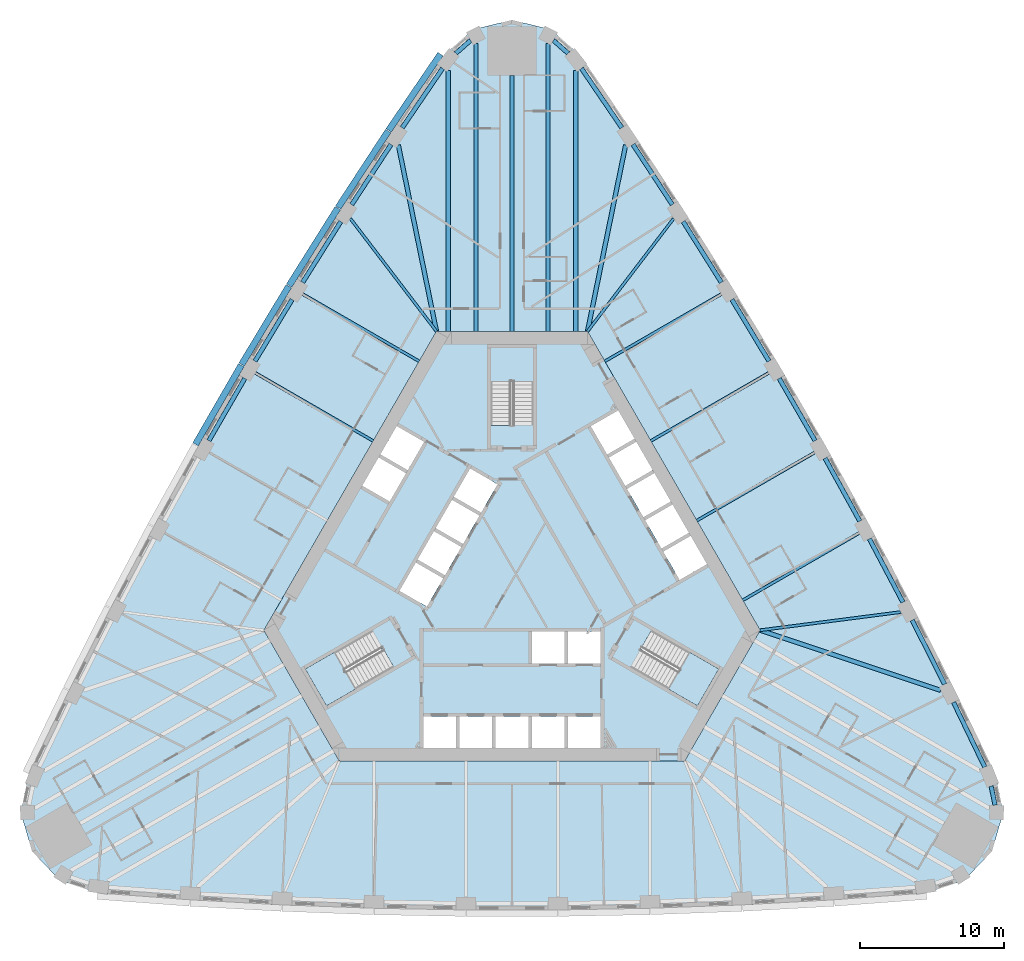
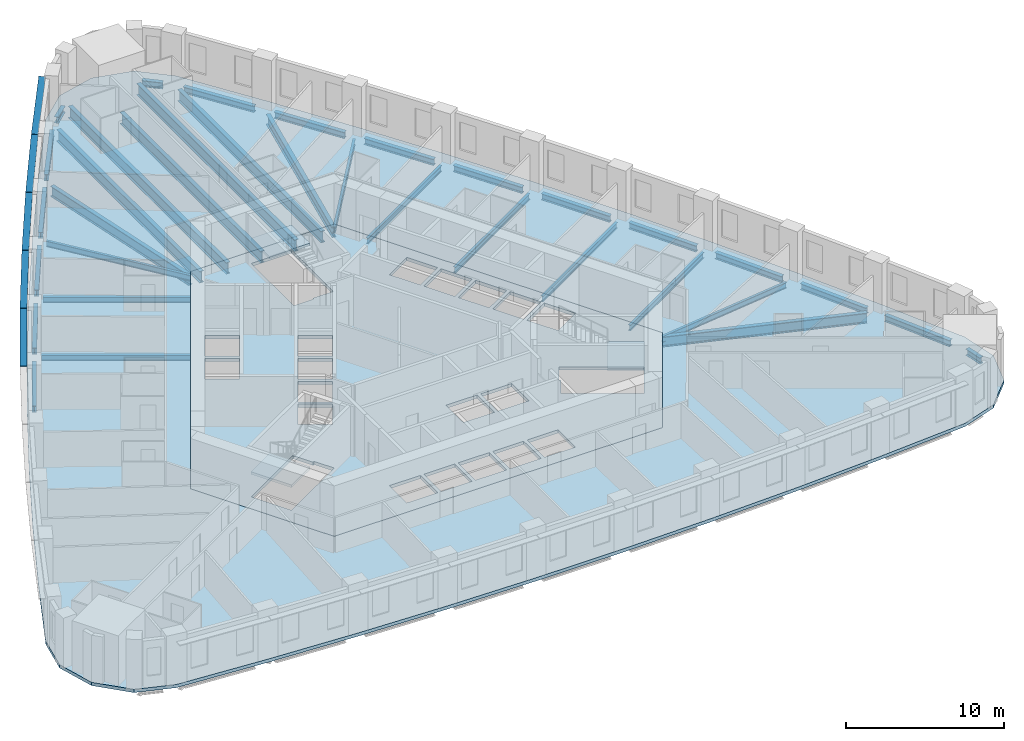
# One storey, part 2 of 12: 34 beams, 5 members, 5 slabs, 3 elements without a shape of their own.
"""IFC4 building model written with IfcOpenShell, lengths in metres."""

from ifc_helpers import new_model, si_unit, direction, frame, origin, origin_2d, place, context, subcontext, project, spatial, polyline, rectangle, i_section, outline, extrude, material, layer, layer_set, material_profile, profile_set, type_object, element, aggregate, save


model = new_model("IFC4")

# Units and contexts
model_context = context("Model", 3, precision=1e-05, world=origin(), true_north=direction((0.0, 1.0)))
body_context = subcontext(model_context, "Body", "Model", "MODEL_VIEW")
ifc_project = project(units=[si_unit("LENGTHUNIT", "METRE"), si_unit("AREAUNIT", "SQUARE_METRE"), si_unit("VOLUMEUNIT", "CUBIC_METRE"), si_unit("PLANEANGLEUNIT", "RADIAN"), si_unit("MASSUNIT", "GRAM", prefix="KILO")], contexts=[model_context])

# Site, building, storey
site_placement = place(None, origin())
site = spatial("IfcSite", under=ifc_project, at=site_placement, CompositionType="ELEMENT")
building_placement = place(site_placement, origin())
building = spatial("IfcBuilding", under=site, at=building_placement, Name="Mestral Congress Tower", CompositionType="ELEMENT")
storey_placement = place(building_placement, frame((0.0, 0.0, 43.199951171875)))
storey = spatial("IfcBuildingStorey", under=building, at=storey_placement, Name="L09", CompositionType="ELEMENT", Elevation=43.199951171875)

# Members
ifc_material_1 = material(Name="Glazed ceramic", Category="masonry")
ifc_material_profile_1 = material_profile(ifc_material_1, rectangle(XDim=0.449951171875, YDim=0.06005859375, at=origin_2d()), Name="Ceramic blade 450 x 60")
ifc_profile_set_1 = profile_set([ifc_material_profile_1], Name="Glazed ceramic")
member_type = type_object("IfcMemberType", Name="Facade sunshade blade 450 x 60", PredefinedType="USERDEFINED", material=ifc_profile_set_1)
member_1_placement = place(storey_placement, frame((-4.973388671875, 36.188232421875, 3.280029296875), z_axis=(-0.562633427576, -0.826706493367, 0.0), x_axis=(0.826706493367, -0.562633427576, 0.0)))
element("IfcMember", 1, at=member_1_placement, inside=storey, type_object=member_type, Name="Sunshade F2-00", ObjectType="SUNSHADE", PredefinedType="USERDEFINED", context=body_context, shape_type="SweptSolid", body=[
    extrude(rectangle(XDim=0.449951171875, YDim=0.06005859375, at=origin_2d()), origin(), (0.0, 0.0, 1.0), 6.4208984375),
])
member_2_placement = place(storey_placement, frame((-8.6103515625, 30.843505859375, 3.280029296875), z_axis=(-0.547211145376, -0.836994601163, 0.0), x_axis=(0.836994601163, -0.547211145376, 0.0)))
element("IfcMember", 2, at=member_2_placement, inside=storey, type_object=member_type, Name="Sunshade F2-01", ObjectType="SUNSHADE", PredefinedType="USERDEFINED", context=body_context, shape_type="SweptSolid", body=[
    extrude(rectangle(XDim=0.449951171875, YDim=0.06005859375, at=origin_2d()), origin(), (0.0, 0.0, 1.0), 6.368408203125),
])
for number, where, z_axis, x_axis, name in (
    (3, (-12.119140625, 25.47607421875, 3.280029296875), (-0.531665815747, -0.846954225662, 0.0), (0.846954225662, -0.531665815747, 0.0), "Sunshade F2-02"),
    (4, (-15.528076171875, 20.044921875, 3.280029296875), (-0.515904518528, -0.856646092481, 0.0), (0.856646092481, -0.515904518528, 0.0), "Sunshade F2-03"),
):
    element("IfcMember", number, at=place(storey_placement, frame(where, z_axis=z_axis, x_axis=x_axis)), inside=storey, type_object=member_type, Name=name, ObjectType="SUNSHADE", PredefinedType="USERDEFINED", context=body_context, shape_type="SweptSolid", body=[
        extrude(rectangle(XDim=0.449951171875, YDim=0.06005859375, at=origin_2d()), origin(), (0.0, 0.0, 1.0), 6.3681640625),
    ])
member_3_placement = place(storey_placement, frame((-18.8359375, 14.5517578125, 3.280029296875), z_axis=(-0.499990149842, -0.866031090701, 0.0), x_axis=(0.866031090701, -0.499990149842, 0.0)))
element("IfcMember", 5, at=member_3_placement, inside=storey, type_object=member_type, Name="Sunshade F2-04", ObjectType="SUNSHADE", PredefinedType="USERDEFINED", context=body_context, shape_type="SweptSolid", body=[
    extrude(rectangle(XDim=0.449951171875, YDim=0.06005859375, at=origin_2d()), origin(), (0.0, 0.0, 1.0), 6.368408203125),
])

# Beams
ifc_material_2 = material(Name="Steel S355", Category="steel")
ifc_material_profile_2 = material_profile(ifc_material_2, i_section(OverallWidth=0.300048828125, OverallDepth=0.800048828125, WebThickness=0.017578125, FlangeThickness=0.032958984375, FilletRadius=0.030029296875, at=origin_2d()), Name="HEB 800")
ifc_profile_set_2 = profile_set([ifc_material_profile_2], Name="Steel S355")
beam_type_1 = type_object("IfcBeamType", Name="Floor beam HEB 800 S355", PredefinedType="BEAM", material=ifc_profile_set_2)
for number, where, z_axis, x_axis, name in (
    (6, (29.8203125, -8.08349609375, -0.64990234375), (-0.948734931285, 0.316072824141, 0.0), (-0.316072824141, -0.948734931285, 0.0), "BM-L09-RB1-E01"),
    (7, (7.90966796875, 29.86669921875, -0.64990234375), (-0.200647311614, -0.979663542418, 0.0), (0.979663542418, -0.200647311614, 0.0), "BM-L09-RB1-E08"),
    (8, (-7.90966796875, 29.86669921875, -0.64990234375), (0.200647311614, -0.979663542418, 0.0), (0.979663542418, 0.200647311614, 0.0), "BM-L09-RB1-W01"),
):
    element("IfcBeam", number, at=place(storey_placement, frame(where, z_axis=z_axis, x_axis=x_axis)), inside=storey, type_object=beam_type_1, Name=name, PredefinedType="BEAM", context=body_context, shape_type="SweptSolid", body=[
        extrude(i_section(OverallWidth=0.300048828125, OverallDepth=0.800048828125, WebThickness=0.017578125, FlangeThickness=0.032958984375, FilletRadius=0.030029296875, at=origin_2d()), origin(), (0.0, 0.0, 1.0), 13.236083984375),
    ])
ifc_material_profile_3 = material_profile(ifc_material_2, i_section(OverallWidth=0.300048828125, OverallDepth=0.89990234375, WebThickness=0.0185546875, FlangeThickness=0.034912109375, FilletRadius=0.030029296875, at=origin_2d()), Name="HEB 900")
ifc_profile_set_3 = profile_set([ifc_material_profile_3], Name="Steel S355")
beam_type_2 = type_object("IfcBeamType", Name="Floor beam HEB 900 S355", PredefinedType="BEAM", material=ifc_profile_set_3)
beam_1_placement = place(storey_placement, frame((4.43603515625, 35.052734375, -0.699951171875), z_axis=(0.0, -1.0, 0.0), x_axis=(1.0, 0.0, 0.0)))
element("IfcBeam", 9, at=beam_1_placement, inside=storey, type_object=beam_type_2, Name="BM-L09-RB1-E09", PredefinedType="BEAM", context=body_context, shape_type="SweptSolid", body=[
    extrude(i_section(OverallWidth=0.300048828125, OverallDepth=0.89990234375, WebThickness=0.0185546875, FlangeThickness=0.034912109375, FilletRadius=0.030029296875, at=origin_2d()), origin(), (0.0, 0.0, 1.0), 18.15283203125),
])
beam_2_placement = place(storey_placement, frame((2.503173828125, 36.91943359375, -0.699951171875), z_axis=(0.0, -1.0, 0.0), x_axis=(1.0, 0.0, 0.0)))
element("IfcBeam", 10, at=beam_2_placement, inside=storey, type_object=beam_type_2, Name="BM-L09-RB1-N1", PredefinedType="BEAM", context=body_context, shape_type="SweptSolid", body=[
    extrude(i_section(OverallWidth=0.300048828125, OverallDepth=0.89990234375, WebThickness=0.0185546875, FlangeThickness=0.034912109375, FilletRadius=0.030029296875, at=origin_2d()), origin(), (0.0, 0.0, 1.0), 20.01953125),
])
beam_3_placement = place(storey_placement, frame((0.0, 34.698974609375, -0.699951171875), z_axis=(0.0, -1.0, 0.0), x_axis=(1.0, 0.0, 0.0)))
element("IfcBeam", 11, at=beam_3_placement, inside=storey, type_object=beam_type_2, Name="BM-L09-RB1-N", PredefinedType="BEAM", context=body_context, shape_type="SweptSolid", body=[
    extrude(i_section(OverallWidth=0.300048828125, OverallDepth=0.89990234375, WebThickness=0.0185546875, FlangeThickness=0.034912109375, FilletRadius=0.030029296875, at=origin_2d()), origin(), (0.0, 0.0, 1.0), 17.799072265625),
])
beam_4_placement = place(storey_placement, frame((-2.503173828125, 36.91943359375, -0.699951171875), z_axis=(0.0, -1.0, 0.0), x_axis=(1.0, 0.0, 0.0)))
element("IfcBeam", 12, at=beam_4_placement, inside=storey, type_object=beam_type_2, Name="BM-L09-RB1-N3", PredefinedType="BEAM", context=body_context, shape_type="SweptSolid", body=[
    extrude(i_section(OverallWidth=0.300048828125, OverallDepth=0.89990234375, WebThickness=0.0185546875, FlangeThickness=0.034912109375, FilletRadius=0.030029296875, at=origin_2d()), origin(), (0.0, 0.0, 1.0), 20.01953125),
])
beam_5_placement = place(storey_placement, frame((-4.43603515625, 35.052734375, -0.699951171875), z_axis=(0.0, -1.0, 0.0), x_axis=(1.0, 0.0, 0.0)))
element("IfcBeam", 13, at=beam_5_placement, inside=storey, type_object=beam_type_2, Name="BM-L09-RB1-W00", PredefinedType="BEAM", context=body_context, shape_type="SweptSolid", body=[
    extrude(i_section(OverallWidth=0.300048828125, OverallDepth=0.89990234375, WebThickness=0.0185546875, FlangeThickness=0.034912109375, FilletRadius=0.030029296875, at=origin_2d()), origin(), (0.0, 0.0, 1.0), 18.15283203125),
])
ifc_material_profile_4 = material_profile(ifc_material_2, i_section(OverallWidth=0.18994140625, OverallDepth=0.449951171875, WebThickness=0.009521484375, FlangeThickness=0.0146484375, FilletRadius=0.02099609375, at=origin_2d()), Name="IPE 450")
ifc_profile_set_4 = profile_set([ifc_material_profile_4], Name="Steel S355")
beam_type_3 = type_object("IfcBeamType", Name="Floor beam IPE 450 S355", PredefinedType="BEAM", material=ifc_profile_set_4)
beam_6_placement = place(storey_placement, frame((27.058349609375, -2.6337890625, -0.474853515625), z_axis=(-0.99175011495, -0.128186229747, 0.0), x_axis=(0.128186229747, -0.99175011495, 0.0)))
element("IfcBeam", 14, at=beam_6_placement, inside=storey, type_object=beam_type_3, Name="BM-L09-RB1-E02", PredefinedType="BEAM", context=body_context, shape_type="SweptSolid", body=[
    extrude(i_section(OverallWidth=0.18994140625, OverallDepth=0.449951171875, WebThickness=0.009521484375, FlangeThickness=0.0146484375, FilletRadius=0.02099609375, at=origin_2d()), origin(), (0.0, 0.0, 1.0), 9.877197265625),
])
beam_7_placement = place(storey_placement, frame((24.150634765625, 2.859619140625, -0.474853515625), z_axis=(-0.866032011123, -0.499988555579, 0.0), x_axis=(0.499988555579, -0.866032011123, 0.0)))
element("IfcBeam", 15, at=beam_7_placement, inside=storey, type_object=beam_type_3, Name="BM-L09-RB1-E03", PredefinedType="BEAM", context=body_context, shape_type="SweptSolid", body=[
    extrude(i_section(OverallWidth=0.18994140625, OverallDepth=0.449951171875, WebThickness=0.009521484375, FlangeThickness=0.0146484375, FilletRadius=0.02099609375, at=origin_2d()), origin(), (0.0, 0.0, 1.0), 9.344970703125),
])
for number, where, z_axis, x_axis, name in (
    (16, (21.0537109375, 8.46044921875, -0.474853515625), (-0.866019749231, -0.500009793847, 0.0), (0.500009793847, -0.866019749231, 0.0), "BM-L09-RB1-E04"),
    (17, (17.853759765625, 14.0029296875, -0.474853515625), (-0.866019749231, -0.500009793847, 0.0), (0.500009793847, -0.866019749231, 0.0), "BM-L09-RB1-E05"),
):
    element("IfcBeam", number, at=place(storey_placement, frame(where, z_axis=z_axis, x_axis=x_axis)), inside=storey, type_object=beam_type_3, Name=name, PredefinedType="BEAM", context=body_context, shape_type="SweptSolid", body=[
        extrude(i_section(OverallWidth=0.18994140625, OverallDepth=0.449951171875, WebThickness=0.009521484375, FlangeThickness=0.0146484375, FilletRadius=0.02099609375, at=origin_2d()), origin(), (0.0, 0.0, 1.0), 9.463134765625),
    ])
beam_8_placement = place(storey_placement, frame((14.5517578125, 19.485107421875, -0.474853515625), z_axis=(-0.866025479842, -0.499999868264, 0.0), x_axis=(0.499999868264, -0.866025479842, 0.0)))
element("IfcBeam", 18, at=beam_8_placement, inside=storey, type_object=beam_type_3, Name="BM-L09-RB1-E06", PredefinedType="BEAM", context=body_context, shape_type="SweptSolid", body=[
    extrude(i_section(OverallWidth=0.18994140625, OverallDepth=0.449951171875, WebThickness=0.009521484375, FlangeThickness=0.0146484375, FilletRadius=0.02099609375, at=origin_2d()), origin(), (0.0, 0.0, 1.0), 9.3447265625),
])
for number, where, z_axis, x_axis, name in (
    (19, (11.248291015625, 24.75, -0.474853515625), (-0.606898557801, -0.794779303039, 0.0), (0.794779303039, -0.606898557801, 0.0), "BM-L09-RB1-E07"),
    (20, (-11.248291015625, 24.75, -0.474853515625), (0.606898557801, -0.794779303039, 0.0), (0.794779303039, 0.606898557801, 0.0), "BM-L09-RB1-W02"),
):
    element("IfcBeam", number, at=place(storey_placement, frame(where, z_axis=z_axis, x_axis=x_axis)), inside=storey, type_object=beam_type_3, Name=name, PredefinedType="BEAM", context=body_context, shape_type="SweptSolid", body=[
        extrude(i_section(OverallWidth=0.18994140625, OverallDepth=0.449951171875, WebThickness=0.009521484375, FlangeThickness=0.0146484375, FilletRadius=0.02099609375, at=origin_2d()), origin(), (0.0, 0.0, 1.0), 9.877197265625),
    ])
beam_9_placement = place(storey_placement, frame((-14.5517578125, 19.485107421875, -0.474853515625), z_axis=(0.866025479842, -0.499999868264, 0.0), x_axis=(0.499999868264, 0.866025479842, 0.0)))
element("IfcBeam", 21, at=beam_9_placement, inside=storey, type_object=beam_type_3, Name="BM-L09-RB1-W03", PredefinedType="BEAM", context=body_context, shape_type="SweptSolid", body=[
    extrude(i_section(OverallWidth=0.18994140625, OverallDepth=0.449951171875, WebThickness=0.009521484375, FlangeThickness=0.0146484375, FilletRadius=0.02099609375, at=origin_2d()), origin(), (0.0, 0.0, 1.0), 9.3447265625),
])
beam_10_placement = place(storey_placement, frame((-17.853759765625, 14.0029296875, -0.474853515625), z_axis=(0.866019749231, -0.500009793847, 0.0), x_axis=(0.500009793847, 0.866019749231, 0.0)))
element("IfcBeam", 22, at=beam_10_placement, inside=storey, type_object=beam_type_3, Name="BM-L09-RB1-W04", PredefinedType="BEAM", context=body_context, shape_type="SweptSolid", body=[
    extrude(i_section(OverallWidth=0.18994140625, OverallDepth=0.449951171875, WebThickness=0.009521484375, FlangeThickness=0.0146484375, FilletRadius=0.02099609375, at=origin_2d()), origin(), (0.0, 0.0, 1.0), 9.463134765625),
])
ifc_material_profile_5 = material_profile(ifc_material_2, i_section(OverallWidth=0.300048828125, OverallDepth=0.489990234375, WebThickness=0.011962890625, FlangeThickness=0.02294921875, FilletRadius=0.027099609375, at=origin_2d()), Name="HEA 500")
ifc_profile_set_5 = profile_set([ifc_material_profile_5], Name="Steel S355")
beam_type_4 = type_object("IfcBeamType", Name="Spandrel beam HEA 500 S355", PredefinedType="BEAM", material=ifc_profile_set_5)
beam_11_placement = place(storey_placement, frame((33.611328125, -16.0693359375, -0.494873046875), z_axis=(-0.197991750859, 0.980203686277, 0.0), x_axis=(-0.980203686277, -0.197991750859, 0.0)))
element("IfcBeam", 23, at=beam_11_placement, inside=storey, type_object=beam_type_4, Name="SP-L09-SB1-SE3", PredefinedType="BEAM", context=body_context, shape_type="SweptSolid", body=[
    extrude(i_section(OverallWidth=0.300048828125, OverallDepth=0.489990234375, WebThickness=0.011962890625, FlangeThickness=0.02294921875, FilletRadius=0.027099609375, at=origin_2d()), origin(), (0.0, 0.0, 1.0), 1.3515625),
])
beam_12_placement = place(storey_placement, frame((32.897705078125, -13.415283203125, -0.494873046875), z_axis=(-0.434645244295, 0.900601749727, 0.0), x_axis=(-0.900601749727, -0.434645244295, 0.0)))
element("IfcBeam", 24, at=beam_12_placement, inside=storey, type_object=beam_type_4, Name="SP-L09-SB1-E00", PredefinedType="BEAM", context=body_context, shape_type="SweptSolid", body=[
    extrude(i_section(OverallWidth=0.300048828125, OverallDepth=0.489990234375, WebThickness=0.011962890625, FlangeThickness=0.02294921875, FilletRadius=0.027099609375, at=origin_2d()), origin(), (0.0, 0.0, 1.0), 4.998046875),
])
beam_13_placement = place(storey_placement, frame((30.105224609375, -7.658935546875, -0.494873046875), z_axis=(-0.45123261425, 0.892406369227, 0.0), x_axis=(-0.892406369227, -0.45123261425, 0.0)))
element("IfcBeam", 25, at=beam_13_placement, inside=storey, type_object=beam_type_4, Name="SP-L09-SB1-E01", PredefinedType="BEAM", context=body_context, shape_type="SweptSolid", body=[
    extrude(i_section(OverallWidth=0.300048828125, OverallDepth=0.489990234375, WebThickness=0.011962890625, FlangeThickness=0.02294921875, FilletRadius=0.027099609375, at=origin_2d()), origin(), (0.0, 0.0, 1.0), 4.999755859375),
])
beam_14_placement = place(storey_placement, frame((27.2060546875, -1.95361328125, -0.494873046875), z_axis=(-0.467681307417, 0.883897162962, 0.0), x_axis=(-0.883897162962, -0.467681307417, 0.0)))
element("IfcBeam", 26, at=beam_14_placement, inside=storey, type_object=beam_type_4, Name="SP-L09-SB1-E02", PredefinedType="BEAM", context=body_context, shape_type="SweptSolid", body=[
    extrude(i_section(OverallWidth=0.300048828125, OverallDepth=0.489990234375, WebThickness=0.011962890625, FlangeThickness=0.02294921875, FilletRadius=0.027099609375, at=origin_2d()), origin(), (0.0, 0.0, 1.0), 5.0),
])
for number, where, z_axis, x_axis, name in (
    (27, (24.20166015625, 3.697265625, -0.494873046875), (-0.483900688062, 0.875122919419, 0.0), (-0.875122919419, -0.483900688062, 0.0), "SP-L09-SB1-E03"),
    (28, (21.093505859375, 9.291748046875, -0.494873046875), (-0.50002537861, 0.866010750942, 0.0), (-0.866010750942, -0.50002537861, 0.0), "SP-L09-SB1-E04"),
    (29, (17.88232421875, 14.82763671875, -0.494873046875), (-0.515938385622, 0.85662569553, 0.0), (-0.85662569553, -0.515938385622, 0.0), "SP-L09-SB1-E05"),
    (30, (14.5693359375, 20.302978515625, -0.494873046875), (-0.531661433361, 0.846956976639, 0.0), (-0.846956976639, -0.531661433361, 0.0), "SP-L09-SB1-E06"),
):
    element("IfcBeam", number, at=place(storey_placement, frame(where, z_axis=z_axis, x_axis=x_axis)), inside=storey, type_object=beam_type_4, Name=name, PredefinedType="BEAM", context=body_context, shape_type="SweptSolid", body=[
        extrude(i_section(OverallWidth=0.300048828125, OverallDepth=0.489990234375, WebThickness=0.011962890625, FlangeThickness=0.02294921875, FilletRadius=0.027099609375, at=origin_2d()), origin(), (0.0, 0.0, 1.0), 4.999755859375),
    ])
beam_15_placement = place(storey_placement, frame((11.156005859375, 25.716552734375, -0.494873046875), z_axis=(-0.547263834194, 0.836960151849, 0.0), x_axis=(-0.836960151849, -0.547263834194, 0.0)))
element("IfcBeam", 31, at=beam_15_placement, inside=storey, type_object=beam_type_4, Name="SP-L09-SB1-E07", PredefinedType="BEAM", context=body_context, shape_type="SweptSolid", body=[
    extrude(i_section(OverallWidth=0.300048828125, OverallDepth=0.489990234375, WebThickness=0.011962890625, FlangeThickness=0.02294921875, FilletRadius=0.027099609375, at=origin_2d()), origin(), (0.0, 0.0, 1.0), 5.0),
])
beam_16_placement = place(storey_placement, frame((7.642822265625, 31.06591796875, -0.494873046875), z_axis=(-0.562610596841, 0.826722030868, 0.0), x_axis=(-0.826722030868, -0.562610596841, 0.0)))
element("IfcBeam", 32, at=beam_16_placement, inside=storey, type_object=beam_type_4, Name="SP-L09-SB1-E08", PredefinedType="BEAM", context=body_context, shape_type="SweptSolid", body=[
    extrude(i_section(OverallWidth=0.300048828125, OverallDepth=0.489990234375, WebThickness=0.011962890625, FlangeThickness=0.02294921875, FilletRadius=0.027099609375, at=origin_2d()), origin(), (0.0, 0.0, 1.0), 4.998046875),
])
for number, where, z_axis, x_axis, name in (
    (33, (3.902587890625, 36.248779296875, -0.494873046875), (-0.749806226219, 0.661657481725, 0.0), (-0.661657481725, -0.749806226219, 0.0), "SP-L09-SB1-E09"),
    (34, (-2.88916015625, 37.14306640625, -0.494873046875), (-0.749806226219, -0.661657481725, 0.0), (0.661657481725, -0.749806226219, 0.0), "SP-L09-SB1-N3"),
):
    element("IfcBeam", number, at=place(storey_placement, frame(where, z_axis=z_axis, x_axis=x_axis)), inside=storey, type_object=beam_type_4, Name=name, PredefinedType="BEAM", context=body_context, shape_type="SweptSolid", body=[
        extrude(i_section(OverallWidth=0.300048828125, OverallDepth=0.489990234375, WebThickness=0.011962890625, FlangeThickness=0.02294921875, FilletRadius=0.027099609375, at=origin_2d()), origin(), (0.0, 0.0, 1.0), 1.3515625),
    ])
beam_17_placement = place(storey_placement, frame((-4.830810546875, 35.197998046875, -0.494873046875), z_axis=(-0.562610596841, -0.826722030868, 0.0), x_axis=(0.826722030868, -0.562610596841, 0.0)))
element("IfcBeam", 35, at=beam_17_placement, inside=storey, type_object=beam_type_4, Name="SP-L09-SB1-W00", PredefinedType="BEAM", context=body_context, shape_type="SweptSolid", body=[
    extrude(i_section(OverallWidth=0.300048828125, OverallDepth=0.489990234375, WebThickness=0.011962890625, FlangeThickness=0.02294921875, FilletRadius=0.027099609375, at=origin_2d()), origin(), (0.0, 0.0, 1.0), 4.998046875),
])
beam_18_placement = place(storey_placement, frame((-8.419677734375, 29.9013671875, -0.494873046875), z_axis=(-0.547263834194, -0.836960151849, 0.0), x_axis=(0.836960151849, -0.547263834194, 0.0)))
element("IfcBeam", 36, at=beam_18_placement, inside=storey, type_object=beam_type_4, Name="SP-L09-SB1-W01", PredefinedType="BEAM", context=body_context, shape_type="SweptSolid", body=[
    extrude(i_section(OverallWidth=0.300048828125, OverallDepth=0.489990234375, WebThickness=0.011962890625, FlangeThickness=0.02294921875, FilletRadius=0.027099609375, at=origin_2d()), origin(), (0.0, 0.0, 1.0), 5.0),
])
for number, where, z_axis, x_axis, name in (
    (37, (-11.9111328125, 24.53759765625, -0.494873046875), (-0.531661433361, -0.846956976639, 0.0), (0.846956976639, -0.531661433361, 0.0), "SP-L09-SB1-W02"),
    (38, (-15.302734375, 19.110595703125, -0.494873046875), (-0.515938385622, -0.85662569553, 0.0), (0.85662569553, -0.515938385622, 0.0), "SP-L09-SB1-W03"),
    (39, (-18.593505859375, 13.62158203125, -0.494873046875), (-0.50002537861, -0.866010750942, 0.0), (0.866010750942, -0.50002537861, 0.0), "SP-L09-SB1-W04"),
):
    element("IfcBeam", number, at=place(storey_placement, frame(where, z_axis=z_axis, x_axis=x_axis)), inside=storey, type_object=beam_type_4, Name=name, PredefinedType="BEAM", context=body_context, shape_type="SweptSolid", body=[
        extrude(i_section(OverallWidth=0.300048828125, OverallDepth=0.489990234375, WebThickness=0.011962890625, FlangeThickness=0.02294921875, FilletRadius=0.027099609375, at=origin_2d()), origin(), (0.0, 0.0, 1.0), 4.999755859375),
    ])

# Slabs
ifc_material_3 = material(Name="Concrete C35/45", Category="concrete")
ifc_layer_1 = layer(ifc_material_3, 0.25)
ifc_layer_set_1 = layer_set([ifc_layer_1], Name="Concrete C35/45")
slab_type_1 = type_object("IfcSlabType", Name="Composite floor slab 250", PredefinedType="FLOOR", material=ifc_layer_set_1)
placement_1 = place(storey_placement, frame((0.0, 0.0, -0.25)))
element("IfcSlab", 40, at=placement_1, inside=storey, type_object=slab_type_1, Name="SL-L09", PredefinedType="FLOOR", context=body_context, shape_type="SweptSolid", body=[
    extrude(outline(polyline([(-28.8564453125, -22.17529296875), (-31.45849609375, -21.301025390625), (-33.39599609375, -19.28125), (-34.176513671875, -16.59326171875), (-33.6328125, -13.90283203125), (-30.824462890625, -8.084228515625), (-27.93310546875, -2.365478515625), (-24.936279296875, 3.298828125), (-21.835205078125, 8.90673828125), (-18.631103515625, 14.45654296875), (-15.324951171875, 19.946044921875), (-11.91796875, 25.373291015625), (-8.4111328125, 30.737060546875), (-4.776123046875, 36.078125), (-2.718017578125, 37.894287109375), (0.0, 38.562255859375), (2.718017578125, 37.894287109375), (4.776123046875, 36.078125), (8.4111328125, 30.737060546875), (11.91796875, 25.373291015625), (15.324951171875, 19.946044921875), (18.631103515625, 14.45654296875), (21.835205078125, 8.90673828125), (24.936279296875, 3.298828125), (27.93310546875, -2.365478515625), (30.824462890625, -8.084228515625), (33.6328125, -13.90283203125), (34.176513671875, -16.59326171875), (33.39599609375, -19.28125), (31.45849609375, -21.301025390625), (28.8564453125, -22.17529296875), (22.41357421875, -22.652587890625), (16.01513671875, -23.0078125), (9.611083984375, -23.244873046875), (3.2041015625, -23.36328125), (-3.2041015625, -23.36328125), (-9.611083984375, -23.244873046875), (-16.01513671875, -23.0078125), (-22.41357421875, -22.652587890625), (-28.8564453125, -22.17529296875)]), holes=[polyline([(-5.25390625, 16.89990234375), (-17.2626953125, -3.89990234375), (-12.0087890625, -13.0), (12.0087890625, -13.0), (17.2626953125, -3.89990234375), (5.25390625, 16.89990234375), (-5.25390625, 16.89990234375)])]), origin(), (0.0, 0.0, 1.0), 0.25),
])
ifc_material_4 = material(Name="Concrete C60/75", Category="concrete")
ifc_layer_2 = layer(ifc_material_4, 0.25)
ifc_layer_set_2 = layer_set([ifc_layer_2], Name="Concrete C60/75")
slab_type_2 = type_object("IfcSlabType", Name="Core floor slab RC 250", PredefinedType="FLOOR", material=ifc_layer_set_2)
element("IfcSlab", 41, at=placement_1, inside=storey, type_object=slab_type_2, Name="L09 core floor", PredefinedType="FLOOR", context=body_context, shape_type="SweptSolid", body=[
    extrude(outline(polyline([(12.0087890625, -13.0), (-12.0087890625, -13.0), (-17.2626953125, -3.89990234375), (-5.25390625, 16.89990234375), (5.25390625, 16.89990234375), (17.2626953125, -3.89990234375), (12.0087890625, -13.0)]), holes=[polyline([(-3.905029296875, -9.89990234375), (-6.175048828125, -9.89990234375), (-6.175048828125, -12.10009765625), (-3.905029296875, -12.10009765625), (-3.905029296875, -9.89990234375)]), polyline([(-1.385009765625, -9.89990234375), (-3.655029296875, -9.89990234375), (-3.655029296875, -12.10009765625), (-1.385009765625, -12.10009765625), (-1.385009765625, -9.89990234375)]), polyline([(1.135009765625, -9.89990234375), (-1.135009765625, -9.89990234375), (-1.135009765625, -12.10009765625), (1.135009765625, -12.10009765625), (1.135009765625, -9.89990234375)]), polyline([(-9.0673828125, -5.235107421875), (-9.8046875, -3.95751953125), (-14.37744140625, -6.59765625), (-12.90234375, -9.15234375), (-8.234619140625, -6.45751953125), (-8.971923828125, -5.179931640625), (-9.0673828125, -5.235107421875)]), polyline([(-7.826904296875, -1.156494140625), (-5.921630859375, -2.256591796875), (-4.78662109375, -0.29052734375), (-6.69189453125, 0.809326171875), (-7.826904296875, -1.156494140625)]), polyline([(-4.66162109375, -0.07421875), (-3.526611328125, 1.8916015625), (-5.431884765625, 2.99169921875), (-6.56689453125, 1.02587890625), (-4.66162109375, -0.07421875)]), polyline([(-3.401611328125, 2.1083984375), (-2.2666015625, 4.07421875), (-4.171875, 5.174072265625), (-5.306884765625, 3.208251953125), (-3.401611328125, 2.1083984375)]), polyline([(-2.1416015625, 4.29052734375), (-1.006591796875, 6.256591796875), (-2.911865234375, 7.3564453125), (-4.046875, 5.390625), (-2.1416015625, 4.29052734375)]), polyline([(-10.41650390625, 6.158203125), (-8.51123046875, 5.058349609375), (-7.376220703125, 7.024169921875), (-9.281494140625, 8.1240234375), (-10.41650390625, 6.158203125)]), polyline([(-9.156494140625, 8.340576171875), (-7.251220703125, 7.240478515625), (-6.1162109375, 9.20654296875), (-8.021484375, 10.306396484375), (-9.156494140625, 8.340576171875)]), polyline([(1.47509765625, 10.469970703125), (1.47509765625, 15.75), (-1.47509765625, 15.75), (-1.47509765625, 10.360107421875), (0.0, 10.360107421875), (0.0, 10.469970703125), (1.47509765625, 10.469970703125)]), polyline([(3.655029296875, -9.89990234375), (1.385009765625, -9.89990234375), (1.385009765625, -12.10009765625), (3.655029296875, -12.10009765625), (3.655029296875, -9.89990234375)]), polyline([(6.175048828125, -9.89990234375), (3.905029296875, -9.89990234375), (3.905029296875, -12.10009765625), (6.175048828125, -12.10009765625), (6.175048828125, -9.89990234375)]), polyline([(9.0673828125, -5.235107421875), (8.329833984375, -6.512451171875), (12.90234375, -9.15234375), (14.37744140625, -6.59765625), (9.70947265625, -3.902587890625), (8.971923828125, -5.179931640625), (9.0673828125, -5.235107421875)]), polyline([(3.655029296875, -6.199951171875), (3.655029296875, -4.0), (1.385009765625, -4.0), (1.385009765625, -6.199951171875), (3.655029296875, -6.199951171875)]), polyline([(6.175048828125, -4.0), (3.905029296875, -4.0), (3.905029296875, -6.199951171875), (6.175048828125, -6.199951171875), (6.175048828125, -4.0)]), polyline([(12.431396484375, 2.668212890625), (10.526123046875, 1.568115234375), (11.6611328125, -0.397705078125), (13.56640625, 0.702392578125), (12.431396484375, 2.668212890625)]), polyline([(11.17138671875, 4.8505859375), (9.26611328125, 3.75048828125), (10.401123046875, 1.78466796875), (12.306396484375, 2.884765625), (11.17138671875, 4.8505859375)]), polyline([(8.006103515625, 5.932861328125), (9.14111328125, 3.967041015625), (11.04638671875, 5.067138671875), (9.911376953125, 7.032958984375), (8.006103515625, 5.932861328125)]), polyline([(8.6513671875, 9.21533203125), (6.74609375, 8.115234375), (7.881103515625, 6.1494140625), (9.786376953125, 7.24951171875), (8.6513671875, 9.21533203125)]), polyline([(7.391357421875, 11.397705078125), (5.486083984375, 10.297607421875), (6.62109375, 8.331787109375), (8.5263671875, 9.431884765625), (7.391357421875, 11.397705078125)])]), origin(), (0.0, 0.0, 1.0), 0.25),
])

# Stair, slab
stair_type = type_object("IfcStairType", Name="Exit stair 1400", PredefinedType="HALF_TURN_STAIR", material=ifc_material_4)
placement_2 = place(storey_placement, origin())
stair_1 = element("IfcStair", 42, at=placement_2, inside=storey, type_object=stair_type, Name="L09 ST1", PredefinedType="HALF_TURN_STAIR")
ifc_layer_3 = layer(ifc_material_4, 0.199951171875)
ifc_layer_set_3 = layer_set([ifc_layer_3], Name="Concrete C60/75")
slab_type_3 = type_object("IfcSlabType", Name="Exit stair landing 200", PredefinedType="LANDING", material=ifc_layer_set_3)
placement_3 = place(storey_placement, frame((0.0, 0.0, 1.75)))
slab_3 = element("IfcSlab", 43, at=placement_3, type_object=slab_type_3, Name="ST1 landing 1", PredefinedType="LANDING", context=body_context, shape_type="SweptSolid", body=[
    extrude(outline(polyline([(10.879638671875, -7.99609375), (12.364501953125, -5.424072265625), (14.39111328125, -6.593994140625), (12.906005859375, -9.166015625), (10.879638671875, -7.99609375)])), origin(), (0.0, 0.0, 1.0), 0.199951171875),
])
aggregate(stair_1, [slab_3])

stair_2 = element("IfcStair", 44, at=placement_2, inside=storey, type_object=stair_type, Name="L09 ST2", PredefinedType="HALF_TURN_STAIR")
slab_4 = element("IfcSlab", 45, at=placement_3, type_object=slab_type_3, Name="ST2 landing 1", PredefinedType="LANDING", context=body_context, shape_type="SweptSolid", body=[
    extrude(outline(polyline([(1.485107421875, 13.419921875), (-1.485107421875, 13.419921875), (-1.485107421875, 15.760009765625), (1.485107421875, 15.760009765625), (1.485107421875, 13.419921875)])), origin(), (0.0, 0.0, 1.0), 0.199951171875),
])
aggregate(stair_2, [slab_4])

stair_3 = element("IfcStair", 46, at=placement_2, inside=storey, type_object=stair_type, Name="L09 ST3", PredefinedType="HALF_TURN_STAIR")
slab_5 = element("IfcSlab", 47, at=placement_3, type_object=slab_type_3, Name="ST3 landing 1", PredefinedType="LANDING", context=body_context, shape_type="SweptSolid", body=[
    extrude(outline(polyline([(-12.364501953125, -5.424072265625), (-10.879638671875, -7.99609375), (-12.906005859375, -9.166015625), (-14.39111328125, -6.593994140625), (-12.364501953125, -5.424072265625)])), origin(), (0.0, 0.0, 1.0), 0.199951171875),
])
aggregate(stair_3, [slab_5])

save(model, "model.ifc")
